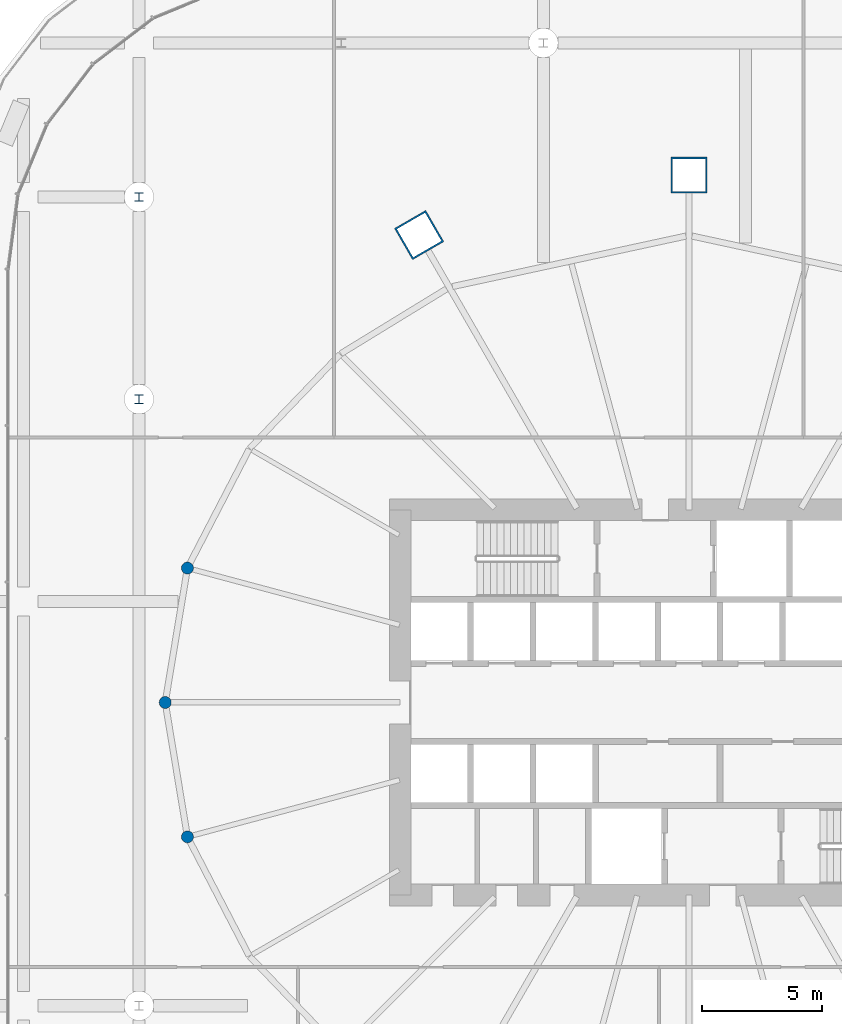
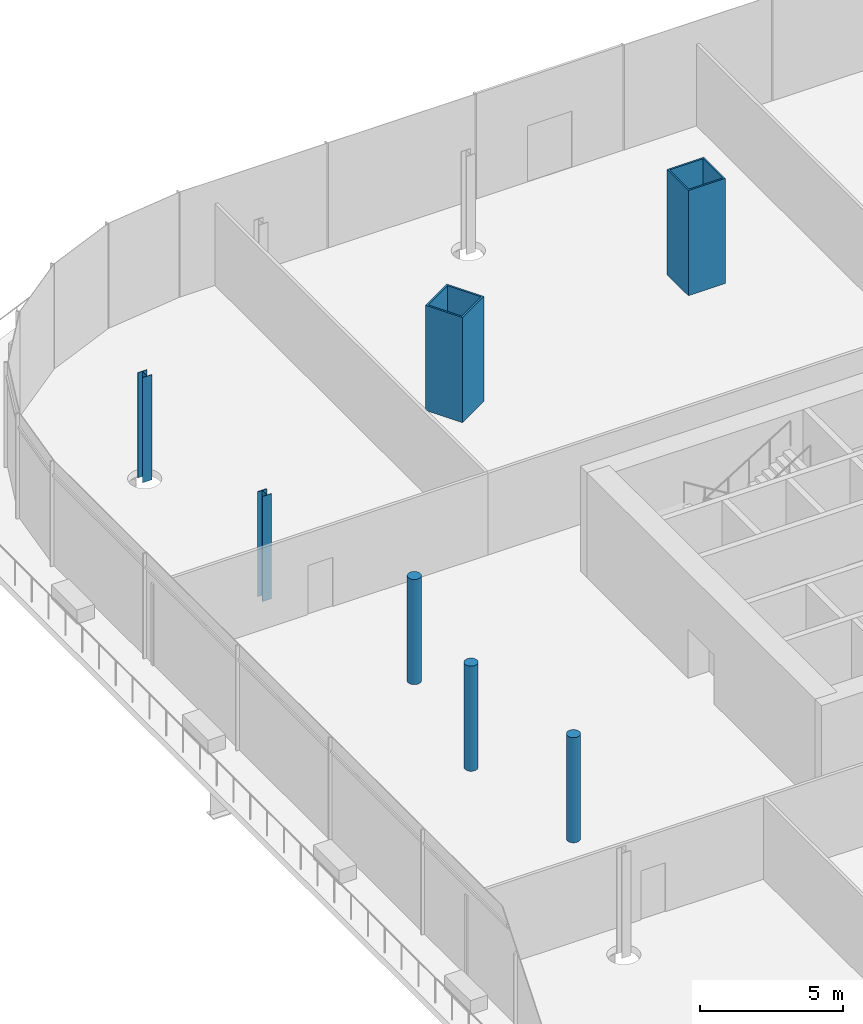
# One storey, part 3 of 56: 7 columns.
"""IFC4 building model written with IfcOpenShell, lengths in metres."""

from ifc_helpers import new_model, si_unit, direction, frame, origin, origin_2d, place, context, subcontext, project, spatial, hollow_rectangle, circle, i_section, extrude, material, material_profile, profile_set, type_object, element, save


model = new_model("IFC4")

# Units and contexts
model_context = context("Model", 3, precision=1e-05, world=origin(), true_north=direction((0.0, 1.0)))
body_context = subcontext(model_context, "Body", "Model", "MODEL_VIEW")
ifc_project = project(units=[si_unit("LENGTHUNIT", "METRE"), si_unit("AREAUNIT", "SQUARE_METRE"), si_unit("VOLUMEUNIT", "CUBIC_METRE"), si_unit("PLANEANGLEUNIT", "RADIAN"), si_unit("MASSUNIT", "GRAM", prefix="KILO")], contexts=[model_context])

# Site, building, storey
site_placement = place(None, origin())
site = spatial("IfcSite", under=ifc_project, at=site_placement, CompositionType="ELEMENT")
building_placement = place(site_placement, origin())
building = spatial("IfcBuilding", under=site, at=building_placement, Name="Rimbun Link Towers", CompositionType="ELEMENT")
storey_placement = place(building_placement, frame((0.0, 0.0, 16.5)))
storey = spatial("IfcBuildingStorey", under=building, at=storey_placement, Name="L03", CompositionType="ELEMENT", Elevation=16.5)

# Columns
ifc_material_1 = material(Name="Steel S460N", Category="steel")
ifc_material_profile_1 = material_profile(ifc_material_1, hollow_rectangle(XDim=1.5, YDim=1.5, WallThickness=0.070068359375, at=origin_2d()), Name="BOX 1500x1500x70")
ifc_profile_set_1 = profile_set([ifc_material_profile_1], Name="Steel S460N")
column_type_1 = type_object("IfcColumnType", Name="BOX 1500x1500x70", PredefinedType="COLUMN", material=ifc_profile_set_1)
for number, where, z_axis, x_axis, name in (
    (1, (-31.75, 21.904296875, 0.0), (0.0, 0.0, 1.0), (0.0, 1.0, 0.0), "Mega column T1 L03 06"),
    (2, (-42.961181640625, 19.418212890625, 0.0), (0.0, 0.0, 1.0), (-0.5, 0.866025403784, 0.0), "Mega column T1 L03 08"),
):
    element("IfcColumn", number, at=place(storey_placement, frame(where, z_axis=z_axis, x_axis=x_axis)), inside=storey, type_object=column_type_1, Name=name, PredefinedType="COLUMN", context=body_context, shape_type="SweptSolid", body=[
        extrude(hollow_rectangle(XDim=1.5, YDim=1.5, WallThickness=0.070068359375, at=origin_2d()), origin(), (0.0, 0.0, 1.0), 4.5),
    ])
ifc_material_2 = material(Name="Concrete C80/95", Category="concrete")
ifc_material_profile_2 = material_profile(ifc_material_2, circle(Radius=0.25, at=origin_2d()), Name="RC D500")
ifc_profile_set_2 = profile_set([ifc_material_profile_2], Name="Concrete C80/95")
column_type_2 = type_object("IfcColumnType", Name="RC D500", PredefinedType="COLUMN", material=ifc_profile_set_2)
for number, where, z_axis, x_axis, name in (
    (3, (-52.58642578125, 5.5830078125, 0.0), (0.0, 0.0, 1.0), (1.0, 0.0, 0.0), "Recess post T1 L03 11"),
    (4, (-53.50927734375, 0.0, 0.0), (0.0, 0.0, 1.0), (1.0, 0.0, 0.0), "Recess post T1 L03 12"),
    (5, (-52.58642578125, -5.5830078125, 0.0), (0.0, 0.0, 1.0), (1.0, 0.0, 0.0), "Recess post T1 L03 13"),
):
    element("IfcColumn", number, at=place(storey_placement, frame(where, z_axis=z_axis, x_axis=x_axis)), inside=storey, type_object=column_type_2, Name=name, PredefinedType="COLUMN", context=body_context, shape_type="SweptSolid", body=[
        extrude(circle(Radius=0.25, at=origin_2d()), origin(), (0.0, 0.0, 1.0), 4.5),
    ])
ifc_material_3 = material(Name="Steel S355J2", Category="steel")
ifc_material_profile_3 = material_profile(ifc_material_3, i_section(OverallWidth=0.37060546875, OverallDepth=0.362060546875, WebThickness=0.01220703125, FlangeThickness=0.020751953125, at=origin_2d()), Name="UC 356x368x153")
ifc_profile_set_3 = profile_set([ifc_material_profile_3], Name="Steel S355J2")
column_type_3 = type_object("IfcColumnType", Name="UC 356x368x153", PredefinedType="COLUMN", material=ifc_profile_set_3)
for number, where, z_axis, x_axis, name in (
    (6, (-54.60009765625, 12.60009765625, 0.0), (0.0, 0.0, 1.0), (1.0, 0.0, 0.0), "Column L03 -54.6 +12.6"),
    (7, (-54.60009765625, 21.0, 0.0), (0.0, 0.0, 1.0), (1.0, 0.0, 0.0), "Column L03 -54.6 +21.0"),
):
    element("IfcColumn", number, at=place(storey_placement, frame(where, z_axis=z_axis, x_axis=x_axis)), inside=storey, type_object=column_type_3, Name=name, PredefinedType="COLUMN", context=body_context, shape_type="SweptSolid", body=[
        extrude(i_section(OverallWidth=0.37060546875, OverallDepth=0.362060546875, WebThickness=0.01220703125, FlangeThickness=0.020751953125, at=origin_2d()), origin(), (0.0, 0.0, 1.0), 4.5),
    ])

save(model, "model.ifc")
